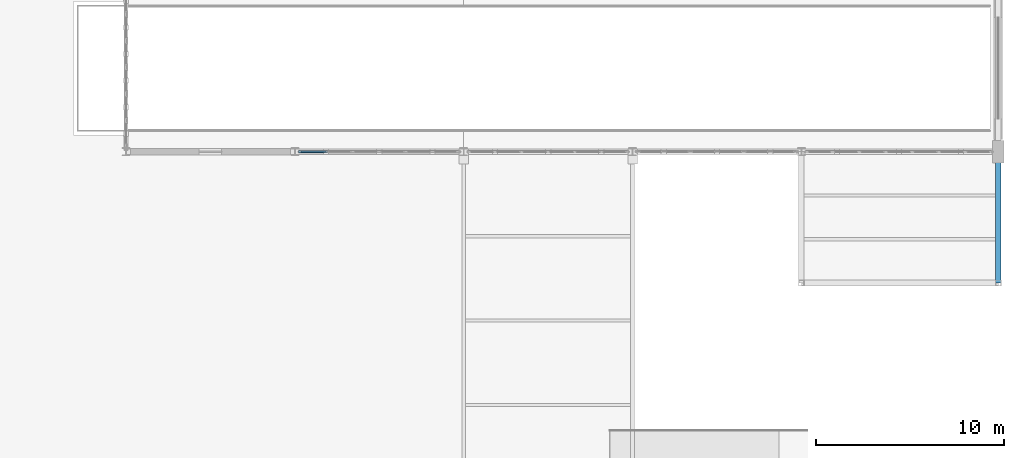
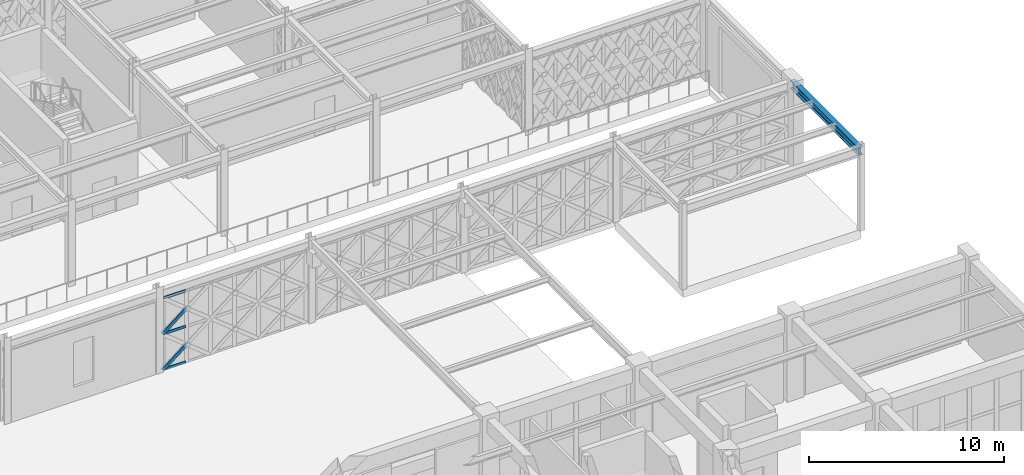
# One storey, part 87 of 140: 5 members, 1 beam, 1 element without a shape of its own.
"""IFC4 building model written with IfcOpenShell, lengths in metres."""

from ifc_helpers import new_model, si_unit, direction, frame, origin, origin_2d, place, context, subcontext, project, spatial, hollow_rectangle, i_section, extrude, material, material_profile, profile_set, type_object, element, aggregate, save


model = new_model("IFC4")

# Units and contexts
model_context = context("Model", 3, precision=1e-05, world=origin(), true_north=direction((0.0, 1.0)))
body_context = subcontext(model_context, "Body", "Model", "MODEL_VIEW")
ifc_project = project(units=[si_unit("LENGTHUNIT", "METRE"), si_unit("AREAUNIT", "SQUARE_METRE"), si_unit("VOLUMEUNIT", "CUBIC_METRE"), si_unit("PLANEANGLEUNIT", "RADIAN"), si_unit("MASSUNIT", "GRAM", prefix="KILO")], contexts=[model_context])

# Site, building, storey
site_placement = place(None, origin())
site = spatial("IfcSite", under=ifc_project, at=site_placement, CompositionType="ELEMENT")
building_placement = place(site_placement, origin())
building = spatial("IfcBuilding", under=site, at=building_placement, Name="Haizhuo Lancet Aquarium", CompositionType="ELEMENT")
storey_placement = place(building_placement, origin())
storey = spatial("IfcBuildingStorey", under=building, at=storey_placement, Name="L00", CompositionType="ELEMENT", Elevation=0.0)

# Beam
ifc_material_1 = material(Name="Steel S355", Category="steel")
ifc_material_profile_1 = material_profile(ifc_material_1, i_section(OverallWidth=0.300048828125, OverallDepth=0.488037109375, WebThickness=0.010986328125, FlangeThickness=0.01806640625, FilletRadius=0.02392578125, at=origin_2d()), Name="HM 488x300x11x18")
ifc_profile_set_1 = profile_set([ifc_material_profile_1], Name="Steel S355")
beam_type = type_object("IfcBeamType", Name="BM-ST-HM488", PredefinedType="BEAM", material=ifc_profile_set_1)
beam_placement = place(storey_placement, frame((82.5, 2.0, 4.8759765625), z_axis=(0.0, 1.0, 0.0), x_axis=(-1.0, 0.0, 0.0)))
element("IfcBeam", 1, at=beam_placement, inside=storey, type_object=beam_type, Name="L00 V7 primary girder BM-L00-V7-028", PredefinedType="BEAM", context=body_context, shape_type="SweptSolid", body=[
    extrude(i_section(OverallWidth=0.300048828125, OverallDepth=0.488037109375, WebThickness=0.010986328125, FlangeThickness=0.01806640625, FilletRadius=0.02392578125, at=origin_2d()), origin(), (0.0, 0.0, 1.0), 7.0),
])

# Curtain wall, members
ifc_material_2 = material(Name="Aluminium 6063-T6", Category="aluminium")
curtain_wall_type = type_object("IfcCurtainWallType", Name="CWO-8510x4530", PredefinedType="NOTDEFINED", material=ifc_material_2)
curtain_wall_placement = place(storey_placement, origin())
curtain_wall = element("IfcCurtainWall", 2, at=curtain_wall_placement, inside=storey, type_object=curtain_wall_type, Name="L00 curtain wall CW-V7-L00-281", PredefinedType="NOTDEFINED")
ifc_material_profile_2 = material_profile(ifc_material_2, hollow_rectangle(XDim=0.074951171875, YDim=0.159912109375, WallThickness=0.00390625, at=origin_2d()), Name="ALU-T 75x160x4")
ifc_profile_set_2 = profile_set([ifc_material_profile_2], Name="Aluminium 6063-T6")
member_type_1 = type_object("IfcMemberType", Name="CW-TRN-2", PredefinedType="NOTDEFINED", material=ifc_profile_set_2)
member_1_placement = place(storey_placement, frame((46.6259765625, 9.0, 0.037109375), z_axis=(-1.0, 0.0, 0.0), x_axis=(0.0, -1.0, 0.0)))
member_1 = element("IfcMember", 3, at=member_1_placement, type_object=member_type_1, Name="CWO-85x45 transom 6.1", ObjectType="TRANSOM", PredefinedType="USERDEFINED", context=body_context, shape_type="SweptSolid", body=[
    extrude(hollow_rectangle(XDim=0.074951171875, YDim=0.159912109375, WallThickness=0.00390625, at=origin_2d()), origin(), (0.0, 0.0, 1.0), 1.305908203125),
])
member_2_placement = place(storey_placement, frame((46.6259765625, 9.0, 2.26611328125), z_axis=(-1.0, 0.0, 0.0), x_axis=(0.0, -1.0, 0.0)))
member_2 = element("IfcMember", 4, at=member_2_placement, type_object=member_type_1, Name="CWO-85x45 transom 6.2", ObjectType="TRANSOM", PredefinedType="USERDEFINED", context=body_context, shape_type="SweptSolid", body=[
    extrude(hollow_rectangle(XDim=0.074951171875, YDim=0.159912109375, WallThickness=0.00390625, at=origin_2d()), origin(), (0.0, 0.0, 1.0), 1.305908203125),
])
member_3_placement = place(storey_placement, frame((46.6259765625, 9.0, 4.4951171875), z_axis=(-1.0, 0.0, 0.0), x_axis=(0.0, -1.0, 0.0)))
member_3 = element("IfcMember", 5, at=member_3_placement, type_object=member_type_1, Name="CWO-85x45 transom 6.3", ObjectType="TRANSOM", PredefinedType="USERDEFINED", context=body_context, shape_type="SweptSolid", body=[
    extrude(hollow_rectangle(XDim=0.074951171875, YDim=0.159912109375, WallThickness=0.00390625, at=origin_2d()), origin(), (0.0, 0.0, 1.0), 1.305908203125),
])
aggregate(curtain_wall, [member_1, member_2, member_3])

# Members
ifc_material_profile_3 = material_profile(ifc_material_1, hollow_rectangle(XDim=0.1201171875, YDim=0.199951171875, WallThickness=0.008056640625, at=origin_2d()), Name="RHS 120x200x8")
ifc_profile_set_3 = profile_set([ifc_material_profile_3], Name="Steel S355")
member_type_2 = type_object("IfcMemberType", Name="MEM-LB-RHS120x200", PredefinedType="BRACE", material=ifc_profile_set_3)
for number, where, z_axis, x_axis, name in (
    (6, (45.2451171875, 9.0, 0.0), (0.781222997842, 0.0, 0.624252054577), (0.0, 1.0, 0.0), "Gothic lancet split diagonal brace CW-V7-L00-281 5B1"),
    (7, (45.2451171875, 9.0, 2.26611328125), (0.78128859595, 0.0, 0.624169952688), (0.0, 1.0, 0.0), "Gothic lancet split diagonal brace CW-V7-L00-281 6B1"),
):
    element("IfcMember", number, at=place(storey_placement, frame(where, z_axis=z_axis, x_axis=x_axis)), inside=storey, type_object=member_type_2, Name=name, PredefinedType="BRACE", context=body_context, shape_type="SweptSolid", body=[
        extrude(hollow_rectangle(XDim=0.1201171875, YDim=0.199951171875, WallThickness=0.008056640625, at=origin_2d()), origin(), (0.0, 0.0, 1.0), 1.81494140625),
    ])

save(model, "model.ifc")
